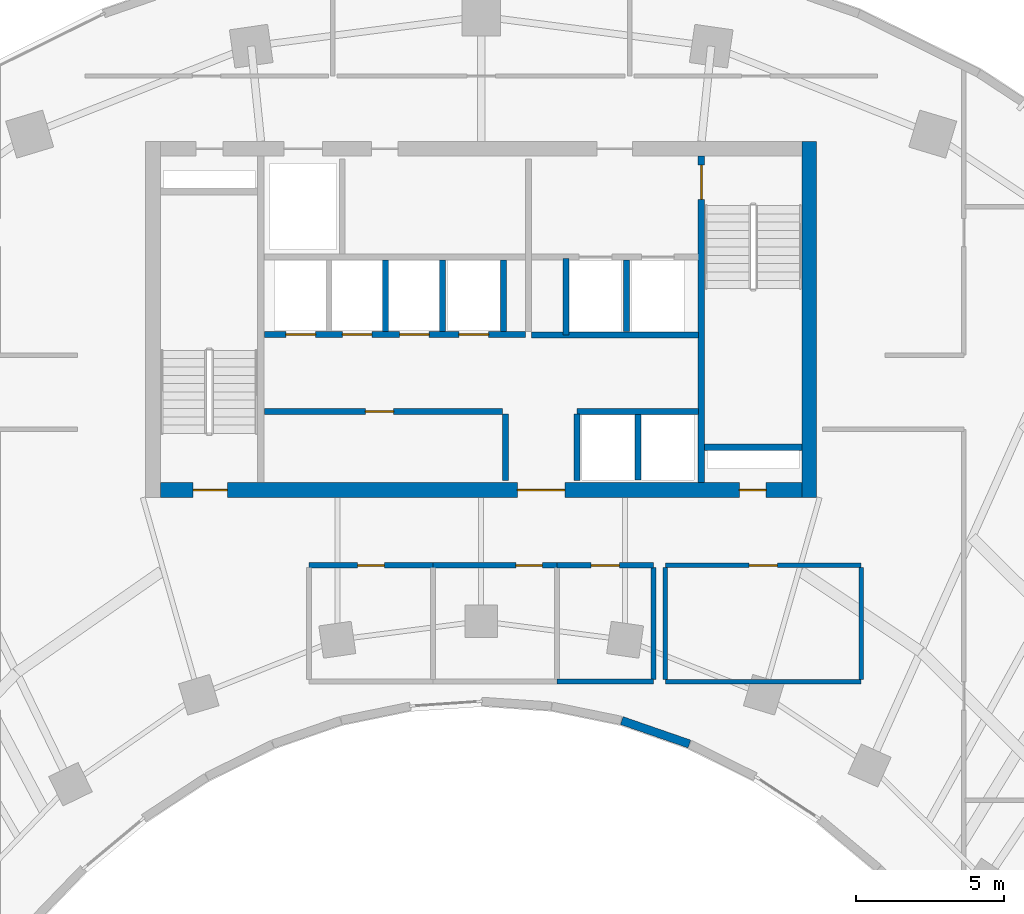
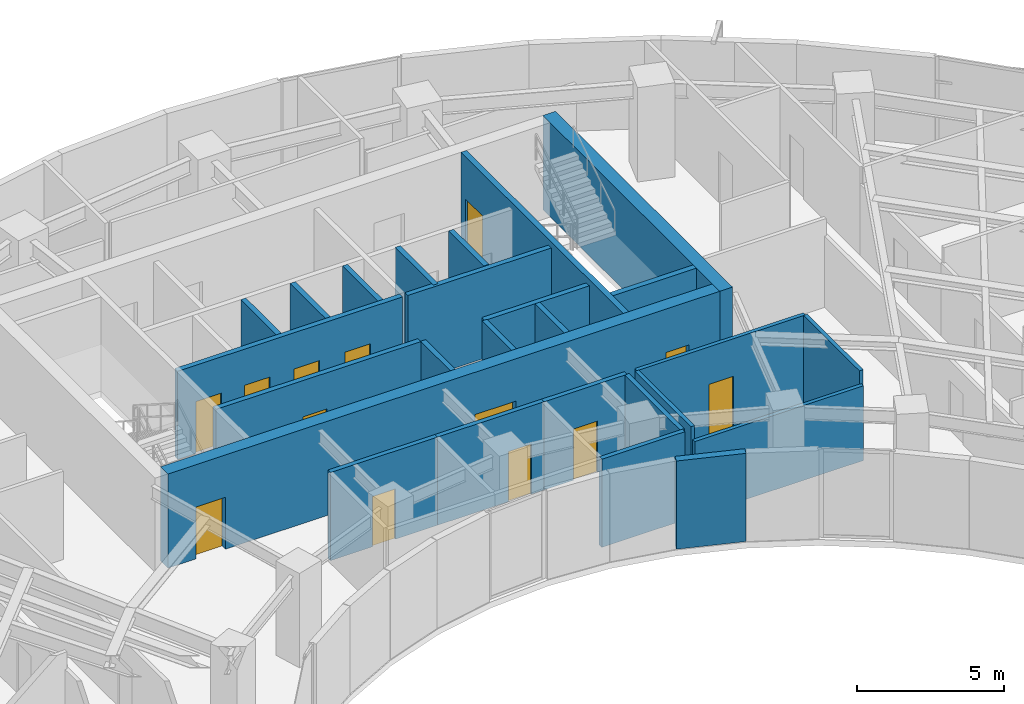
# One storey, part 9 of 14: 26 walls, 13 doors, 13 openings.
"""IFC4 building model written with IfcOpenShell, lengths in metres."""

from ifc_helpers import new_model, si_unit, direction, frame, frame_2d, origin, place, context, subcontext, project, spatial, rectangle, extrude, source, transform, mapped, material, layer, layer_set, type_object, type_shapes, element, fill, save


model = new_model("IFC4")

# Units and contexts
model_context = context("Model", 3, precision=1e-05, world=origin(), true_north=direction((0.0, 1.0)))
body_context = subcontext(model_context, "Body", "Model", "MODEL_VIEW")
ifc_project = project(units=[si_unit("LENGTHUNIT", "METRE"), si_unit("AREAUNIT", "SQUARE_METRE"), si_unit("VOLUMEUNIT", "CUBIC_METRE"), si_unit("PLANEANGLEUNIT", "RADIAN"), si_unit("MASSUNIT", "GRAM", prefix="KILO")], contexts=[model_context])

# Site, building, storey
site_placement = place(None, origin())
site = spatial("IfcSite", under=ifc_project, at=site_placement, CompositionType="ELEMENT")
building_placement = place(site_placement, origin())
building = spatial("IfcBuilding", under=site, at=building_placement, Name="Breltana Convention Tower", CompositionType="ELEMENT")
storey_placement = place(building_placement, frame((0.0, 0.0, 99.89990234375)))
storey = spatial("IfcBuildingStorey", under=building, at=storey_placement, Name="L23", CompositionType="ELEMENT", Elevation=99.89990234375)

# Wall
ifc_material_1 = material(Name="Concrete C60/75", Category="concrete")
ifc_layer_1 = layer(ifc_material_1, 0.5, Name="Concrete C60/75")
ifc_layer_set_1 = layer_set([ifc_layer_1], Name="Concrete C60/75")
wall_type_1 = type_object("IfcWallType", Name="SW-CORE-500", PredefinedType="SHEAR", material=ifc_layer_set_1)
shared_shape_1 = source(origin(), body_context, "Body", "SweptSolid", [
    extrude(rectangle(XDim=12.0, YDim=0.5, at=frame_2d((6.0, 0.0))), origin(), (0.0, 0.0, 1.0), 3.900146484375),
])
wall_1_placement = place(storey_placement, frame((59.050048828125, 60.199951171875, 0.0), z_axis=(0.0, 0.0, 1.0), x_axis=(0.0, 1.0, 0.0)))
element("IfcWall", 1, at=wall_1_placement, inside=storey, type_object=wall_type_1, Name="L23 East Core Shear Wall", PredefinedType="SHEAR", context=body_context, shape_type="MappedRepresentation", body=[
    mapped(shared_shape_1, transform((0.0, 0.0, 0.0), scale=1.0)),
])

# Wall, openings, doors
shared_shape_2 = source(origin(), body_context, "Body", "SweptSolid", [
    extrude(rectangle(XDim=21.60009765625, YDim=0.5, at=frame_2d((10.800048828125, 0.0))), origin(), (0.0, 0.0, 1.0), 3.900146484375),
])
wall_2_placement = place(storey_placement, frame((37.199951171875, 60.449951171875, 0.0), z_axis=(0.0, 0.0, 1.0), x_axis=(1.0, 0.0, 0.0)))
wall_2 = element("IfcWall", 2, at=wall_2_placement, inside=storey, type_object=wall_type_1, Name="L23 South Core Shear Wall", PredefinedType="SHEAR", context=body_context, shape_type="MappedRepresentation", body=[
    mapped(shared_shape_2, transform((0.0, 0.0, 0.0), scale=1.0)),
])
opening_1_placement = place(wall_2_placement, frame((1.10009765625, 0.0, 0.0)))
opening_1 = element("IfcOpeningElement", 3, at=opening_1_placement, cuts=wall_2, Name="Opening D-11", PredefinedType="OPENING", context=body_context, shape_type="SweptSolid", body=[
    extrude(rectangle(XDim=1.14990234375, YDim=2.14990234375, at=frame_2d((0.574951171875, 1.074951171875))), frame((0.0, 0.260009765625, 0.0), z_axis=(0.0, -1.0, 0.0), x_axis=(1.0, 0.0, 0.0)), (0.0, 0.0, 1.0), 0.52001953125),
])
opening_2_placement = place(wall_2_placement, frame((19.5, 0.0, 0.0)))
opening_2 = element("IfcOpeningElement", 4, at=opening_2_placement, cuts=wall_2, Name="Opening D-18", PredefinedType="OPENING", context=body_context, shape_type="SweptSolid", body=[
    extrude(rectangle(XDim=0.89990234375, YDim=2.10009765625, at=frame_2d((0.449951171875, 1.050048828125))), frame((0.0, 0.260009765625, 0.0), z_axis=(0.0, -1.0, 0.0), x_axis=(1.0, 0.0, 0.0)), (0.0, 0.0, 1.0), 0.52001953125),
])
opening_3_placement = place(wall_2_placement, frame((12.02001953125, 0.0, 0.0)))
opening_3 = element("IfcOpeningElement", 5, at=opening_3_placement, cuts=wall_2, Name="Opening D-02", PredefinedType="OPENING", context=body_context, shape_type="SweptSolid", body=[
    extrude(rectangle(XDim=1.60009765625, YDim=2.14990234375, at=frame_2d((0.800048828125, 1.074951171875))), frame((0.0, 0.260009765625, 0.0), z_axis=(0.0, -1.0, 0.0), x_axis=(1.0, 0.0, 0.0)), (0.0, 0.0, 1.0), 0.52001953125),
])
ifc_material_2 = material(Name="Steel Stair Exit Door", Category="steel")
door_type_1 = type_object("IfcDoorType", Name="DR-FD120-1150", OperationType="NOTDEFINED", PredefinedType="DOOR", material=ifc_material_2)
shared_shape_3 = source(origin(), body_context, "Body", "SweptSolid", [
    extrude(rectangle(XDim=1.14990234375, YDim=2.14990234375, at=frame_2d((0.574951171875, 1.074951171875))), frame((0.0, 0.02490234375, 0.0), z_axis=(0.0, -1.0, 0.0), x_axis=(1.0, 0.0, 0.0)), (0.0, 0.0, 1.0), 0.050048828125),
])
type_shapes(door_type_1, [shared_shape_3])
door_1_placement = place(opening_1_placement, origin())
door_1 = element("IfcDoor", 6, at=door_1_placement, inside=storey, type_object=door_type_1, Name="L23 interior door D-L23-ST1", OperationType="SINGLE_SWING_LEFT", OverallHeight=2.14990234375, OverallWidth=1.14990234375, PredefinedType="DOOR", context=body_context, shape_type="MappedRepresentation", body=[
    mapped(shared_shape_3, transform((0.0, 0.0, 0.0), scale=1.0)),
])
fill(opening_1, door_1)
ifc_material_3 = material(Name="Steel Riser Fire Door", Category="steel")
door_type_2 = type_object("IfcDoorType", Name="DR-FD60-900", OperationType="NOTDEFINED", PredefinedType="DOOR", material=ifc_material_3)
shared_shape_4 = source(origin(), body_context, "Body", "SweptSolid", [
    extrude(rectangle(XDim=0.89990234375, YDim=2.10009765625, at=frame_2d((0.449951171875, 1.050048828125))), frame((0.0, 0.02490234375, 0.0), z_axis=(0.0, -1.0, 0.0), x_axis=(1.0, 0.0, 0.0)), (0.0, 0.0, 1.0), 0.050048828125),
])
type_shapes(door_type_2, [shared_shape_4])
door_2_placement = place(opening_2_placement, origin())
door_2 = element("IfcDoor", 7, at=door_2_placement, inside=storey, type_object=door_type_2, Name="L23 Core Riser Access Door D-L23-RS2", OperationType="SINGLE_SWING_RIGHT", OverallHeight=2.10009765625, OverallWidth=0.89990234375, PredefinedType="DOOR", context=body_context, shape_type="MappedRepresentation", body=[
    mapped(shared_shape_4, transform((0.0, 0.0, 0.0), scale=1.0)),
])
fill(opening_2, door_2)
ifc_material_4 = material(Name="Steel Glazed Smoke-Control Door", Category="steel")
door_type_3 = type_object("IfcDoorType", Name="DR-DBL-FD90-1600", OperationType="DOUBLE_DOOR_SINGLE_SWING", PredefinedType="DOOR", material=ifc_material_4)
shared_shape_5 = source(origin(), body_context, "Body", "SweptSolid", [
    extrude(rectangle(XDim=1.60009765625, YDim=2.14990234375, at=frame_2d((0.800048828125, 1.074951171875))), frame((0.0, 0.02490234375, 0.0), z_axis=(0.0, -1.0, 0.0), x_axis=(1.0, 0.0, 0.0)), (0.0, 0.0, 1.0), 0.050048828125),
])
type_shapes(door_type_3, [shared_shape_5])
door_3_placement = place(opening_3_placement, origin())
door_3 = element("IfcDoor", 8, at=door_3_placement, inside=storey, type_object=door_type_3, Name="L23 interior door D-L23-LLB-S", OperationType="DOUBLE_DOOR_SINGLE_SWING", OverallHeight=2.14990234375, OverallWidth=1.60009765625, PredefinedType="DOOR", context=body_context, shape_type="MappedRepresentation", body=[
    mapped(shared_shape_5, transform((0.0, 0.0, 0.0), scale=1.0)),
])
fill(opening_3, door_3)

# Wall
ifc_material_5 = material(Name="Concrete C50/60", Category="concrete")
ifc_layer_2 = layer(ifc_material_5, 0.39990234375, Name="Concrete C50/60")
ifc_layer_set_2 = layer_set([ifc_layer_2], Name="Concrete C50/60")
wall_type_2 = type_object("IfcWallType", Name="SW-CORE-400", PredefinedType="SHEAR", material=ifc_layer_set_2)
shared_shape_6 = source(origin(), body_context, "Body", "SweptSolid", [
    extrude(rectangle(XDim=3.27001953125, YDim=0.219970703125, at=frame_2d((1.635009765625, 0.0))), origin(), (0.0, 0.0, 1.0), 3.900146484375),
])
wall_3_placement = place(storey_placement, frame((55.530029296875, 61.889892578125, 0.0), z_axis=(0.0, 0.0, 1.0), x_axis=(1.0, 0.0, 0.0)))
element("IfcWall", 9, at=wall_3_placement, inside=storey, type_object=wall_type_2, Name="L23 ST-2 Stairwell South Bearing Wall", PredefinedType="SHEAR", context=body_context, shape_type="MappedRepresentation", body=[
    mapped(shared_shape_6, transform((0.0, 0.0, 0.0), scale=1.0)),
])

# Wall, opening, door
shared_shape_7 = source(origin(), body_context, "Body", "SweptSolid", [
    extrude(rectangle(XDim=11.0, YDim=0.219970703125, at=frame_2d((5.5, 0.0))), origin(), (0.0, 0.0, 1.0), 3.900146484375),
])
wall_4_placement = place(storey_placement, frame((55.419921875, 60.699951171875, 0.0), z_axis=(0.0, 0.0, 1.0), x_axis=(0.0, 1.0, 0.0)))
wall_4 = element("IfcWall", 10, at=wall_4_placement, inside=storey, type_object=wall_type_2, Name="L23 Core East Stair Spine Wall", PredefinedType="SHEAR", context=body_context, shape_type="MappedRepresentation", body=[
    mapped(shared_shape_7, transform((0.0, 0.0, 0.0), scale=1.0)),
])
opening_4_placement = place(wall_4_placement, frame((9.544921875, 0.0, 0.0)))
opening_4 = element("IfcOpeningElement", 11, at=opening_4_placement, cuts=wall_4, Name="Opening D-11", PredefinedType="OPENING", context=body_context, shape_type="SweptSolid", body=[
    extrude(rectangle(XDim=1.14990234375, YDim=2.14990234375, at=frame_2d((0.574951171875, 1.074951171875))), frame((0.0, 0.1201171875, 0.0), z_axis=(0.0, -1.0, 0.0), x_axis=(1.0, 0.0, 0.0)), (0.0, 0.0, 1.0), 0.239990234375),
])
door_4_placement = place(opening_4_placement, origin())
door_4 = element("IfcDoor", 12, at=door_4_placement, inside=storey, type_object=door_type_1, Name="L23 interior door D-L23-ST2", OperationType="SINGLE_SWING_LEFT", OverallHeight=2.14990234375, OverallWidth=1.14990234375, PredefinedType="DOOR", context=body_context, shape_type="MappedRepresentation", body=[
    mapped(shared_shape_3, transform((0.0, 0.0, 0.0), scale=1.0)),
])
fill(opening_4, door_4)

# Walls
ifc_material_6 = material(Name="Limestone Buff Insulated Wall", Category="masonry")
ifc_layer_3 = layer(ifc_material_6, 0.280029296875, Name="Limestone Buff Insulated Wall")
ifc_layer_set_3 = layer_set([ifc_layer_3], Name="Limestone Buff Insulated Wall")
wall_type_3 = type_object("IfcWallType", Name="WL-EXT-NOSE-280", PredefinedType="SOLIDWALL", material=ifc_layer_set_3)
shared_shape_8 = source(origin(), body_context, "Body", "SweptSolid", [
    extrude(rectangle(XDim=2.41064453125, YDim=0.280029296875, at=frame_2d((1.205322265625, 0.0))), origin(), (0.0, 0.0, 1.0), 3.650146484375),
])
wall_5_placement = place(storey_placement, frame((55.01171875, 51.8994140625, 0.0), z_axis=(0.0, 0.0, 1.0), x_axis=(-0.944880068161, 0.327416640982, 0.0)))
element("IfcWall", 13, at=wall_5_placement, inside=storey, type_object=wall_type_3, Name="L23 curved limestone nose wall E10", PredefinedType="SOLIDWALL", context=body_context, shape_type="MappedRepresentation", body=[
    mapped(shared_shape_8, transform((0.0, 0.0, 0.0), scale=1.0)),
])
ifc_material_7 = material(Name="Autoclaved Aerated Concrete Block", Category="concrete")
ifc_layer_4 = layer(ifc_material_7, 0.199951171875, Name="Autoclaved Aerated Concrete Block")
ifc_layer_set_4 = layer_set([ifc_layer_4], Name="Autoclaved Aerated Concrete Block")
wall_type_4 = type_object("IfcWallType", Name="WL-SHAFT-200", PredefinedType="SOLIDWALL", material=ifc_layer_set_4)
shared_shape_9 = source(origin(), body_context, "Body", "SweptSolid", [
    extrude(rectangle(XDim=2.239990234375, YDim=0.199951171875, at=frame_2d((1.1201171875, 0.0))), origin(), (0.0, 0.0, 1.0), 3.650146484375),
])
for number, where, z_axis, x_axis, name in (
    (14, (48.820068359375, 60.780029296875, 0.0), (0.0, 0.0, 1.0), (0.0, 1.0, 0.0), "L23 interior partition W-L23-PORT-W"),
    (15, (51.219970703125, 60.780029296875, 0.0), (0.0, 0.0, 1.0), (0.0, 1.0, 0.0), "L23 interior partition W-L23-PORT-E"),
):
    element("IfcWall", number, at=place(storey_placement, frame(where, z_axis=z_axis, x_axis=x_axis)), inside=storey, type_object=wall_type_4, Name=name, PredefinedType="SOLIDWALL", context=body_context, shape_type="MappedRepresentation", body=[
        mapped(shared_shape_9, transform((0.0, 0.0, 0.0), scale=1.0)),
    ])
shared_shape_10 = source(origin(), body_context, "Body", "SweptSolid", [
    extrude(rectangle(XDim=5.6201171875, YDim=0.199951171875, at=frame_2d((2.81005859375, 0.0))), origin(), (0.0, 0.0, 1.0), 3.650146484375),
])
wall_6_placement = place(storey_placement, frame((49.699951171875, 65.679931640625, 0.0), z_axis=(0.0, 0.0, 1.0), x_axis=(1.0, 0.0, 0.0)))
element("IfcWall", 16, at=wall_6_placement, inside=storey, type_object=wall_type_4, Name="L23 interior partition W-L23-FL-S", PredefinedType="SOLIDWALL", context=body_context, shape_type="MappedRepresentation", body=[
    mapped(shared_shape_10, transform((0.0, 0.0, 0.0), scale=1.0)),
])
shared_shape_11 = source(origin(), body_context, "Body", "SweptSolid", [
    extrude(rectangle(XDim=2.580078125, YDim=0.199951171875, at=frame_2d((1.2900390625, 0.0))), origin(), (0.0, 0.0, 1.0), 3.650146484375),
])
wall_7_placement = place(storey_placement, frame((50.85009765625, 65.679931640625, 0.0), z_axis=(0.0, 0.0, 1.0), x_axis=(0.0, 1.0, 0.0)))
element("IfcWall", 17, at=wall_7_placement, inside=storey, type_object=wall_type_4, Name="L23 interior partition W-L23-FL-W", PredefinedType="SOLIDWALL", context=body_context, shape_type="MappedRepresentation", body=[
    mapped(shared_shape_11, transform((0.0, 0.0, 0.0), scale=1.0)),
])
shared_shape_12 = source(origin(), body_context, "Body", "SweptSolid", [
    extrude(rectangle(XDim=2.39990234375, YDim=0.199951171875, at=frame_2d((1.199951171875, 0.0))), origin(), (0.0, 0.0, 1.0), 3.650146484375),
])
for number, where, z_axis, x_axis, name in (
    (18, (52.89990234375, 65.800048828125, 0.0), (0.0, 0.0, 1.0), (0.0, 1.0, 0.0), "L23 interior partition W-L23-FL-DIV"),
    (19, (48.75, 65.800048828125, 0.0), (0.0, 0.0, 1.0), (0.0, 1.0, 0.0), "L23 interior partition W-L23-SH-M-END"),
    (20, (44.77001953125, 65.800048828125, 0.0), (0.0, 0.0, 1.0), (0.0, 1.0, 0.0), "L23 interior partition W-L23-SH-M-DIV2"),
    (21, (46.699951171875, 65.800048828125, 0.0), (0.0, 0.0, 1.0), (0.0, 1.0, 0.0), "L23 interior partition W-L23-SH-M-DIV3"),
):
    element("IfcWall", number, at=place(storey_placement, frame(where, z_axis=z_axis, x_axis=x_axis)), inside=storey, type_object=wall_type_4, Name=name, PredefinedType="SOLIDWALL", context=body_context, shape_type="MappedRepresentation", body=[
        mapped(shared_shape_12, transform((0.0, 0.0, 0.0), scale=1.0)),
    ])

# Wall, openings, doors
shared_shape_13 = source(origin(), body_context, "Body", "SweptSolid", [
    extrude(rectangle(XDim=8.800048828125, YDim=0.199951171875, at=frame_2d((4.39990234375, 0.0))), origin(), (0.0, 0.0, 1.0), 3.650146484375),
])
wall_8_placement = place(storey_placement, frame((40.699951171875, 65.699951171875, 0.0), z_axis=(0.0, 0.0, 1.0), x_axis=(1.0, 0.0, 0.0)))
wall_8 = element("IfcWall", 22, at=wall_8_placement, inside=storey, type_object=wall_type_4, Name="L23 interior partition W-L23-SH-M-FRONT", PredefinedType="SOLIDWALL", context=body_context, shape_type="MappedRepresentation", body=[
    mapped(shared_shape_13, transform((0.0, 0.0, 0.0), scale=1.0)),
])
opening_5_placement = place(wall_8_placement, frame((0.719970703125, 0.0, 0.0)))
opening_5 = element("IfcOpeningElement", 23, at=opening_5_placement, cuts=wall_8, Name="Opening LD-04", PredefinedType="OPENING", context=body_context, shape_type="SweptSolid", body=[
    extrude(rectangle(XDim=1.0, YDim=2.14990234375, at=frame_2d((0.5, 1.074951171875))), frame((0.0, 0.10986328125, 0.0), z_axis=(0.0, -1.0, 0.0), x_axis=(1.0, 0.0, 0.0)), (0.0, 0.0, 1.0), 0.219970703125),
])
opening_6_placement = place(wall_8_placement, frame((2.6201171875, 0.0, 0.0)))
opening_6 = element("IfcOpeningElement", 24, at=opening_6_placement, cuts=wall_8, Name="Opening LD-04", PredefinedType="OPENING", context=body_context, shape_type="SweptSolid", body=[
    extrude(rectangle(XDim=1.0, YDim=2.14990234375, at=frame_2d((0.5, 1.074951171875))), frame((0.0, 0.10986328125, 0.0), z_axis=(0.0, -1.0, 0.0), x_axis=(1.0, 0.0, 0.0)), (0.0, 0.0, 1.0), 0.219970703125),
])
opening_7_placement = place(wall_8_placement, frame((4.550048828125, 0.0, 0.0)))
opening_7 = element("IfcOpeningElement", 25, at=opening_7_placement, cuts=wall_8, Name="Opening LD-04", PredefinedType="OPENING", context=body_context, shape_type="SweptSolid", body=[
    extrude(rectangle(XDim=1.0, YDim=2.14990234375, at=frame_2d((0.5, 1.074951171875))), frame((0.0, 0.10986328125, 0.0), z_axis=(0.0, -1.0, 0.0), x_axis=(1.0, 0.0, 0.0)), (0.0, 0.0, 1.0), 0.219970703125),
])
opening_8_placement = place(wall_8_placement, frame((6.550048828125, 0.0, 0.0)))
opening_8 = element("IfcOpeningElement", 26, at=opening_8_placement, cuts=wall_8, Name="Opening LD-04", PredefinedType="OPENING", context=body_context, shape_type="SweptSolid", body=[
    extrude(rectangle(XDim=1.0, YDim=2.14990234375, at=frame_2d((0.5, 1.074951171875))), frame((0.0, 0.10986328125, 0.0), z_axis=(0.0, -1.0, 0.0), x_axis=(1.0, 0.0, 0.0)), (0.0, 0.0, 1.0), 0.219970703125),
])
ifc_material_8 = material(Name="Stainless Steel Brushed", Category="steel")
door_type_4 = type_object("IfcDoorType", Name="DR-LD-PAX-1000", OperationType="DOUBLE_DOOR_SLIDING", PredefinedType="DOOR", material=ifc_material_8)
shared_shape_14 = source(origin(), body_context, "Body", "SweptSolid", [
    extrude(rectangle(XDim=1.0, YDim=2.14990234375, at=frame_2d((0.5, 1.074951171875))), frame((0.0, 0.02490234375, 0.0), z_axis=(0.0, -1.0, 0.0), x_axis=(1.0, 0.0, 0.0)), (0.0, 0.0, 1.0), 0.050048828125),
])
type_shapes(door_type_4, [shared_shape_14])
door_5_placement = place(opening_5_placement, origin())
door_5 = element("IfcDoor", 27, at=door_5_placement, inside=storey, type_object=door_type_4, Name="L23 Lift Landing Door D-L23-LD-M1", OperationType="DOUBLE_DOOR_SLIDING", OverallHeight=2.14990234375, OverallWidth=1.0, PredefinedType="DOOR", context=body_context, shape_type="MappedRepresentation", body=[
    mapped(shared_shape_14, transform((0.0, 0.0, 0.0), scale=1.0)),
])
fill(opening_5, door_5)
door_6_placement = place(opening_6_placement, origin())
door_6 = element("IfcDoor", 28, at=door_6_placement, inside=storey, type_object=door_type_4, Name="L23 Lift Landing Door D-L23-LD-M2", OperationType="DOUBLE_DOOR_SLIDING", OverallHeight=2.14990234375, OverallWidth=1.0, PredefinedType="DOOR", context=body_context, shape_type="MappedRepresentation", body=[
    mapped(shared_shape_14, transform((0.0, 0.0, 0.0), scale=1.0)),
])
fill(opening_6, door_6)
door_7_placement = place(opening_7_placement, origin())
door_7 = element("IfcDoor", 29, at=door_7_placement, inside=storey, type_object=door_type_4, Name="L23 Lift Landing Door D-L23-LD-M3", OperationType="DOUBLE_DOOR_SLIDING", OverallHeight=2.14990234375, OverallWidth=1.0, PredefinedType="DOOR", context=body_context, shape_type="MappedRepresentation", body=[
    mapped(shared_shape_14, transform((0.0, 0.0, 0.0), scale=1.0)),
])
fill(opening_7, door_7)
door_8_placement = place(opening_8_placement, origin())
door_8 = element("IfcDoor", 30, at=door_8_placement, inside=storey, type_object=door_type_4, Name="L23 Lift Landing Door D-L23-LD-M4", OperationType="DOUBLE_DOOR_SLIDING", OverallHeight=2.14990234375, OverallWidth=1.0, PredefinedType="DOOR", context=body_context, shape_type="MappedRepresentation", body=[
    mapped(shared_shape_14, transform((0.0, 0.0, 0.0), scale=1.0)),
])
fill(opening_8, door_8)

# Wall, opening, door
shared_shape_15 = source(origin(), body_context, "Body", "SweptSolid", [
    extrude(rectangle(XDim=8.02001953125, YDim=0.199951171875, at=frame_2d((4.010009765625, 0.0))), origin(), (0.0, 0.0, 1.0), 3.650146484375),
])
wall_9_placement = place(storey_placement, frame((40.699951171875, 63.10009765625, 0.0), z_axis=(0.0, 0.0, 1.0), x_axis=(1.0, 0.0, 0.0)))
wall_9 = element("IfcWall", 31, at=wall_9_placement, inside=storey, type_object=wall_type_4, Name="L23 interior partition W-L23-SH-S-FRONT", PredefinedType="SOLIDWALL", context=body_context, shape_type="MappedRepresentation", body=[
    mapped(shared_shape_15, transform((0.0, 0.0, 0.0), scale=1.0)),
])
opening_9_placement = place(wall_9_placement, frame((3.39990234375, 0.0, 0.0)))
opening_9 = element("IfcOpeningElement", 32, at=opening_9_placement, cuts=wall_9, Name="Opening D-14", PredefinedType="OPENING", context=body_context, shape_type="SweptSolid", body=[
    extrude(rectangle(XDim=0.949951171875, YDim=2.14990234375, at=frame_2d((0.47509765625, 1.074951171875))), frame((0.0, 0.10986328125, 0.0), z_axis=(0.0, -1.0, 0.0), x_axis=(1.0, 0.0, 0.0)), (0.0, 0.0, 1.0), 0.219970703125),
])
ifc_material_9 = material(Name="Timber Solid-Core Fire Door", Category="wood")
door_type_5 = type_object("IfcDoorType", Name="DR-FD60-950", OperationType="NOTDEFINED", PredefinedType="DOOR", material=ifc_material_9)
shared_shape_16 = source(origin(), body_context, "Body", "SweptSolid", [
    extrude(rectangle(XDim=0.949951171875, YDim=2.14990234375, at=frame_2d((0.47509765625, 1.074951171875))), frame((0.0, 0.02490234375, 0.0), z_axis=(0.0, -1.0, 0.0), x_axis=(1.0, 0.0, 0.0)), (0.0, 0.0, 1.0), 0.050048828125),
])
type_shapes(door_type_5, [shared_shape_16])
door_9_placement = place(opening_9_placement, origin())
door_9 = element("IfcDoor", 33, at=door_9_placement, inside=storey, type_object=door_type_5, Name="L23 interior door D-L23-LV7-B1A", OperationType="SINGLE_SWING_RIGHT", OverallHeight=2.14990234375, OverallWidth=0.949951171875, PredefinedType="DOOR", context=body_context, shape_type="MappedRepresentation", body=[
    mapped(shared_shape_16, transform((0.0, 0.0, 0.0), scale=1.0)),
])
fill(opening_9, door_9)

# Walls
shared_shape_17 = source(origin(), body_context, "Body", "SweptSolid", [
    extrude(rectangle(XDim=4.10009765625, YDim=0.199951171875, at=frame_2d((2.050048828125, 0.0))), origin(), (0.0, 0.0, 1.0), 3.650146484375),
])
wall_10_placement = place(storey_placement, frame((51.219970703125, 63.10009765625, 0.0), z_axis=(0.0, 0.0, 1.0), x_axis=(1.0, 0.0, 0.0)))
element("IfcWall", 34, at=wall_10_placement, inside=storey, type_object=wall_type_4, Name="L23 interior partition W-L23-SH-X-FRONT", PredefinedType="SOLIDWALL", context=body_context, shape_type="MappedRepresentation", body=[
    mapped(shared_shape_17, transform((0.0, 0.0, 0.0), scale=1.0)),
])
shared_shape_18 = source(origin(), body_context, "Body", "SweptSolid", [
    extrude(rectangle(XDim=2.199951171875, YDim=0.199951171875, at=frame_2d((1.10009765625, 0.0))), origin(), (0.0, 0.0, 1.0), 3.650146484375),
])
wall_11_placement = place(storey_placement, frame((53.280029296875, 60.800048828125, 0.0), z_axis=(0.0, 0.0, 1.0), x_axis=(0.0, 1.0, 0.0)))
element("IfcWall", 35, at=wall_11_placement, inside=storey, type_object=wall_type_4, Name="L23 interior partition W-L23-SH-X-DIV", PredefinedType="SOLIDWALL", context=body_context, shape_type="MappedRepresentation", body=[
    mapped(shared_shape_18, transform((0.0, 0.0, 0.0), scale=1.0)),
])

# Wall, opening, door
ifc_material_10 = material(Name="Moisture-Resistant Gypsum Chase Wall")
ifc_layer_5 = layer(ifc_material_10, 0.179931640625, Name="Moisture-Resistant Gypsum Chase Wall")
ifc_layer_set_5 = layer_set([ifc_layer_5], Name="Moisture-Resistant Gypsum Chase Wall")
wall_type_5 = type_object("IfcWallType", Name="WL-PLUMB-180", PredefinedType="PLUMBINGWALL", material=ifc_layer_set_5)
shared_shape_19 = source(origin(), body_context, "Body", "SweptSolid", [
    extrude(rectangle(XDim=4.176025390625, YDim=0.179931640625, at=frame_2d((2.087890625, 0.0))), origin(), (0.0, 0.0, 1.0), 3.650146484375),
])
wall_12_placement = place(storey_placement, frame((42.199951171875, 57.919921875, 0.0), z_axis=(0.0, 0.0, 1.0), x_axis=(1.0, 0.0, 0.0)))
wall_12 = element("IfcWall", 36, at=wall_12_placement, inside=storey, type_object=wall_type_5, Name="L23 interior partition W-L23-WCM-N", PredefinedType="PLUMBINGWALL", context=body_context, shape_type="MappedRepresentation", body=[
    mapped(shared_shape_19, transform((0.0, 0.0, 0.0), scale=1.0)),
])
opening_10_placement = place(wall_12_placement, frame((1.637939453125, 0.0, 0.0)))
opening_10 = element("IfcOpeningElement", 37, at=opening_10_placement, cuts=wall_12, Name="Opening D-19", PredefinedType="OPENING", context=body_context, shape_type="SweptSolid", body=[
    extrude(rectangle(XDim=0.89990234375, YDim=2.080078125, at=frame_2d((0.449951171875, 1.0400390625))), frame((0.0, 0.10009765625, 0.0), z_axis=(0.0, -1.0, 0.0), x_axis=(1.0, 0.0, 0.0)), (0.0, 0.0, 1.0), 0.199951171875),
])
ifc_material_11 = material(Name="Timber Moisture-Resistant Door", Category="wood")
door_type_6 = type_object("IfcDoorType", Name="DR-WC-900", OperationType="NOTDEFINED", PredefinedType="DOOR", material=ifc_material_11)
shared_shape_20 = source(origin(), body_context, "Body", "SweptSolid", [
    extrude(rectangle(XDim=0.89990234375, YDim=2.080078125, at=frame_2d((0.449951171875, 1.0400390625))), frame((0.0, 0.02490234375, 0.0), z_axis=(0.0, -1.0, 0.0), x_axis=(1.0, 0.0, 0.0)), (0.0, 0.0, 1.0), 0.050048828125),
])
type_shapes(door_type_6, [shared_shape_20])
door_10_placement = place(opening_10_placement, origin())
door_10 = element("IfcDoor", 38, at=door_10_placement, inside=storey, type_object=door_type_6, Name="L23 interior door D-L23-WCM", OperationType="SINGLE_SWING_LEFT", OverallHeight=2.080078125, OverallWidth=0.89990234375, PredefinedType="DOOR", context=body_context, shape_type="MappedRepresentation", body=[
    mapped(shared_shape_20, transform((0.0, 0.0, 0.0), scale=1.0)),
])
fill(opening_10, door_10)

wall_13_placement = place(storey_placement, frame((46.3759765625, 57.919921875, 0.0), z_axis=(0.0, 0.0, 1.0), x_axis=(1.0, 0.0, 0.0)))
wall_13 = element("IfcWall", 39, at=wall_13_placement, inside=storey, type_object=wall_type_5, Name="L23 interior partition W-L23-WCF-N", PredefinedType="PLUMBINGWALL", context=body_context, shape_type="MappedRepresentation", body=[
    mapped(shared_shape_19, transform((0.0, 0.0, 0.0), scale=1.0)),
])
opening_11_placement = place(wall_13_placement, frame((2.7880859375, 0.0, 0.0)))
opening_11 = element("IfcOpeningElement", 40, at=opening_11_placement, cuts=wall_13, Name="Opening D-19", PredefinedType="OPENING", context=body_context, shape_type="SweptSolid", body=[
    extrude(rectangle(XDim=0.89990234375, YDim=2.080078125, at=frame_2d((0.449951171875, 1.0400390625))), frame((0.0, 0.10009765625, 0.0), z_axis=(0.0, -1.0, 0.0), x_axis=(1.0, 0.0, 0.0)), (0.0, 0.0, 1.0), 0.199951171875),
])
door_11_placement = place(opening_11_placement, origin())
door_11 = element("IfcDoor", 41, at=door_11_placement, inside=storey, type_object=door_type_6, Name="L23 interior door D-L23-WCF", OperationType="SINGLE_SWING_RIGHT", OverallHeight=2.080078125, OverallWidth=0.89990234375, PredefinedType="DOOR", context=body_context, shape_type="MappedRepresentation", body=[
    mapped(shared_shape_20, transform((0.0, 0.0, 0.0), scale=1.0)),
])
fill(opening_11, door_11)

# Walls
ifc_material_12 = material(Name="Cement Board Wet-Area Partition")
ifc_layer_6 = layer(ifc_material_12, 0.175048828125, Name="Cement Board Wet-Area Partition")
ifc_layer_set_6 = layer_set([ifc_layer_6], Name="Cement Board Wet-Area Partition")
wall_type_6 = type_object("IfcWallType", Name="WL-WET-175", PredefinedType="PARTITIONING", material=ifc_layer_set_6)
shared_shape_21 = source(origin(), body_context, "Body", "SweptSolid", [
    extrude(rectangle(XDim=3.7626953125, YDim=0.175048828125, at=frame_2d((1.88134765625, 0.0))), origin(), (0.0, 0.0, 1.0), 3.650146484375),
])
wall_14_placement = place(storey_placement, frame((53.800048828125, 54.07861328125, 0.0), z_axis=(0.0, 0.0, 1.0), x_axis=(0.0, 1.0, 0.0)))
element("IfcWall", 42, at=wall_14_placement, inside=storey, type_object=wall_type_6, Name="L23 interior partition W-L23-WCA-E", PredefinedType="PARTITIONING", context=body_context, shape_type="MappedRepresentation", body=[
    mapped(shared_shape_21, transform((0.0, 0.0, 0.0), scale=1.0)),
])
shared_shape_22 = source(origin(), body_context, "Body", "SweptSolid", [
    extrude(rectangle(XDim=3.248046875, YDim=0.175048828125, at=frame_2d((1.6240234375, 0.0))), origin(), (0.0, 0.0, 1.0), 3.650146484375),
])
wall_15_placement = place(storey_placement, frame((50.552001953125, 54.0, 0.0), z_axis=(0.0, 0.0, 1.0), x_axis=(1.0, 0.0, 0.0)))
element("IfcWall", 43, at=wall_15_placement, inside=storey, type_object=wall_type_6, Name="L23 interior partition W-L23-WCA-S", PredefinedType="PARTITIONING", context=body_context, shape_type="MappedRepresentation", body=[
    mapped(shared_shape_22, transform((0.0, 0.0, 0.0), scale=1.0)),
])

# Wall, opening, door
shared_shape_23 = source(origin(), body_context, "Body", "SweptSolid", [
    extrude(rectangle(XDim=3.248046875, YDim=0.179931640625, at=frame_2d((1.6240234375, 0.0))), origin(), (0.0, 0.0, 1.0), 3.650146484375),
])
wall_16_placement = place(storey_placement, frame((50.552001953125, 57.919921875, 0.0), z_axis=(0.0, 0.0, 1.0), x_axis=(1.0, 0.0, 0.0)))
wall_16 = element("IfcWall", 44, at=wall_16_placement, inside=storey, type_object=wall_type_5, Name="L23 interior partition W-L23-WCA-N", PredefinedType="PLUMBINGWALL", context=body_context, shape_type="MappedRepresentation", body=[
    mapped(shared_shape_23, transform((0.0, 0.0, 0.0), scale=1.0)),
])
opening_12_placement = place(wall_16_placement, frame((1.14892578125, 0.0, 0.0)))
opening_12 = element("IfcOpeningElement", 45, at=opening_12_placement, cuts=wall_16, Name="Opening D-16", PredefinedType="OPENING", context=body_context, shape_type="SweptSolid", body=[
    extrude(rectangle(XDim=0.949951171875, YDim=2.1201171875, at=frame_2d((0.47509765625, 1.06005859375))), frame((0.0, 0.10009765625, 0.0), z_axis=(0.0, -1.0, 0.0), x_axis=(1.0, 0.0, 0.0)), (0.0, 0.0, 1.0), 0.199951171875),
])
ifc_material_13 = material(Name="Timber Laminate Accessible Door", Category="wood")
door_type_7 = type_object("IfcDoorType", Name="DR-ACC-950", OperationType="NOTDEFINED", PredefinedType="DOOR", material=ifc_material_13)
shared_shape_24 = source(origin(), body_context, "Body", "SweptSolid", [
    extrude(rectangle(XDim=0.949951171875, YDim=2.1201171875, at=frame_2d((0.47509765625, 1.06005859375))), frame((0.0, 0.02490234375, 0.0), z_axis=(0.0, -1.0, 0.0), x_axis=(1.0, 0.0, 0.0)), (0.0, 0.0, 1.0), 0.050048828125),
])
type_shapes(door_type_7, [shared_shape_24])
door_12_placement = place(opening_12_placement, origin())
door_12 = element("IfcDoor", 46, at=door_12_placement, inside=storey, type_object=door_type_7, Name="L23 interior door D-L23-WCA", OperationType="SINGLE_SWING_LEFT", OverallHeight=2.1201171875, OverallWidth=0.949951171875, PredefinedType="DOOR", context=body_context, shape_type="MappedRepresentation", body=[
    mapped(shared_shape_24, transform((0.0, 0.0, 0.0), scale=1.0)),
])
fill(opening_12, door_12)

# Wall
ifc_material_14 = material(Name="Gypsum Acoustic Drywall Partition")
ifc_layer_7 = layer(ifc_material_14, 0.14990234375, Name="Gypsum Acoustic Drywall Partition")
ifc_layer_set_7 = layer_set([ifc_layer_7], Name="Gypsum Acoustic Drywall Partition")
wall_type_7 = type_object("IfcWallType", Name="WL-PART-150", PredefinedType="PARTITIONING", material=ifc_layer_set_7)
shared_shape_25 = source(origin(), body_context, "Body", "SweptSolid", [
    extrude(rectangle(XDim=6.60009765625, YDim=0.14990234375, at=frame_2d((3.300048828125, 0.0))), origin(), (0.0, 0.0, 1.0), 3.09521484375),
])
wall_17_placement = place(storey_placement, frame((54.199951171875, 54.0, 0.0), z_axis=(0.0, 0.0, 1.0), x_axis=(1.0, 0.0, 0.0)))
element("IfcWall", 47, at=wall_17_placement, inside=storey, type_object=wall_type_7, Name="L23 interior partition W-L23-PNT-S", PredefinedType="PARTITIONING", context=body_context, shape_type="MappedRepresentation", body=[
    mapped(shared_shape_25, transform((0.0, 0.0, 0.0), scale=1.0)),
])

# Wall, opening, door
shared_shape_26 = source(origin(), body_context, "Body", "SweptSolid", [
    extrude(rectangle(XDim=6.60009765625, YDim=0.14990234375, at=frame_2d((3.300048828125, 0.0))), origin(), (0.0, 0.0, 1.0), 3.650146484375),
])
wall_18_placement = place(storey_placement, frame((54.199951171875, 57.919921875, 0.0), z_axis=(0.0, 0.0, 1.0), x_axis=(1.0, 0.0, 0.0)))
wall_18 = element("IfcWall", 48, at=wall_18_placement, inside=storey, type_object=wall_type_7, Name="L23 interior partition W-L23-PNT-N", PredefinedType="PARTITIONING", context=body_context, shape_type="MappedRepresentation", body=[
    mapped(shared_shape_26, transform((0.0, 0.0, 0.0), scale=1.0)),
])
opening_13_placement = place(wall_18_placement, frame((2.824951171875, 0.0, 0.0)))
opening_13 = element("IfcOpeningElement", 49, at=opening_13_placement, cuts=wall_18, Name="Opening D-17", PredefinedType="OPENING", context=body_context, shape_type="SweptSolid", body=[
    extrude(rectangle(XDim=0.949951171875, YDim=2.10009765625, at=frame_2d((0.47509765625, 1.050048828125))), frame((0.0, 0.0849609375, 0.0), z_axis=(0.0, -1.0, 0.0), x_axis=(1.0, 0.0, 0.0)), (0.0, 0.0, 1.0), 0.169921875),
])
ifc_material_15 = material(Name="Timber Oak Veneer Door", Category="wood")
door_type_8 = type_object("IfcDoorType", Name="DR-INT-950", OperationType="NOTDEFINED", PredefinedType="DOOR", material=ifc_material_15)
shared_shape_27 = source(origin(), body_context, "Body", "SweptSolid", [
    extrude(rectangle(XDim=0.949951171875, YDim=2.10009765625, at=frame_2d((0.47509765625, 1.050048828125))), frame((0.0, 0.02490234375, 0.0), z_axis=(0.0, -1.0, 0.0), x_axis=(1.0, 0.0, 0.0)), (0.0, 0.0, 1.0), 0.050048828125),
])
type_shapes(door_type_8, [shared_shape_27])
door_13_placement = place(opening_13_placement, origin())
door_13 = element("IfcDoor", 50, at=door_13_placement, inside=storey, type_object=door_type_8, Name="L23 interior door D-L23-PNT", OperationType="SINGLE_SWING_RIGHT", OverallHeight=2.10009765625, OverallWidth=0.949951171875, PredefinedType="DOOR", context=body_context, shape_type="MappedRepresentation", body=[
    mapped(shared_shape_27, transform((0.0, 0.0, 0.0), scale=1.0)),
])
fill(opening_13, door_13)

# Walls
shared_shape_28 = source(origin(), body_context, "Body", "SweptSolid", [
    extrude(rectangle(XDim=3.78515625, YDim=0.14990234375, at=frame_2d((1.892578125, 0.0))), origin(), (0.0, 0.0, 1.0), 3.650146484375),
])
for number, where, z_axis, x_axis, name in (
    (51, (54.199951171875, 54.0673828125, 0.0), (0.0, 0.0, 1.0), (0.0, 1.0, 0.0), "L23 interior partition W-L23-PNT-W"),
    (52, (60.800048828125, 54.0673828125, 0.0), (0.0, 0.0, 1.0), (0.0, 1.0, 0.0), "L23 interior partition W-L23-PNT-E"),
):
    element("IfcWall", number, at=place(storey_placement, frame(where, z_axis=z_axis, x_axis=x_axis)), inside=storey, type_object=wall_type_7, Name=name, PredefinedType="PARTITIONING", context=body_context, shape_type="MappedRepresentation", body=[
        mapped(shared_shape_28, transform((0.0, 0.0, 0.0), scale=1.0)),
    ])

save(model, "model.ifc")
